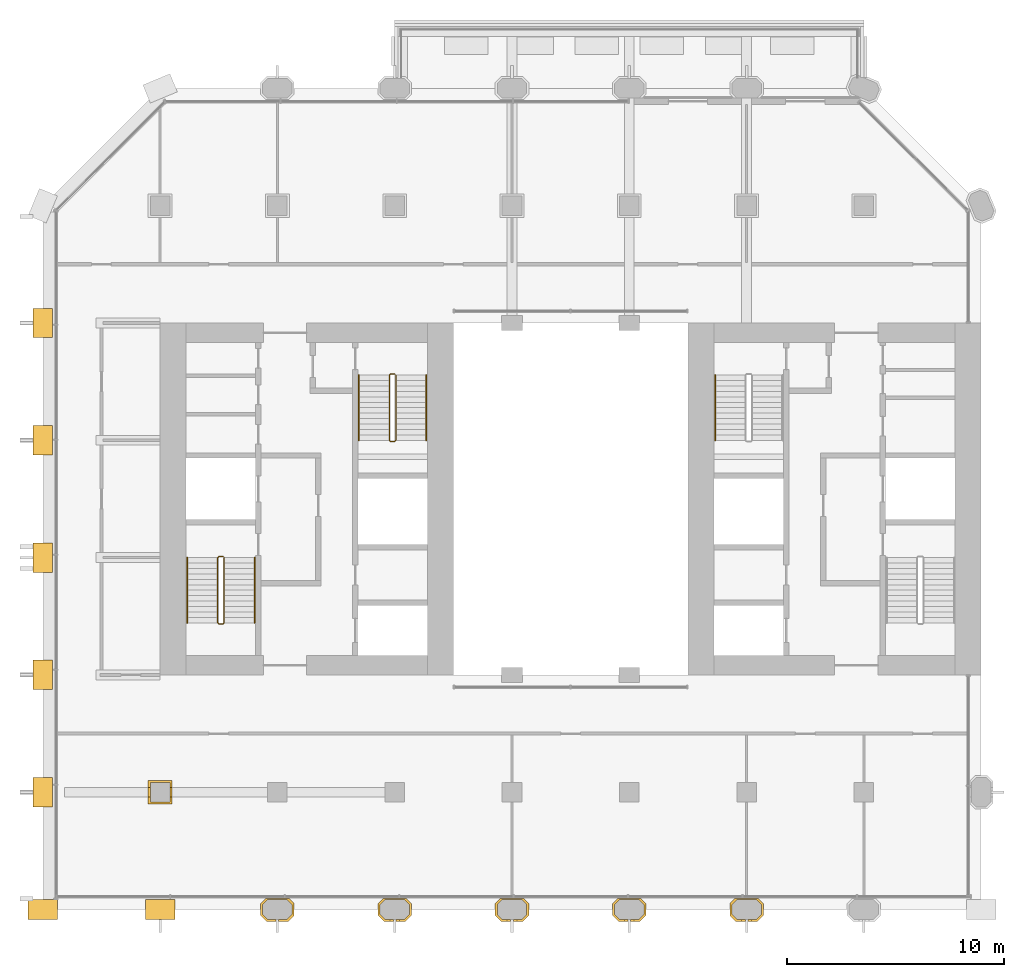
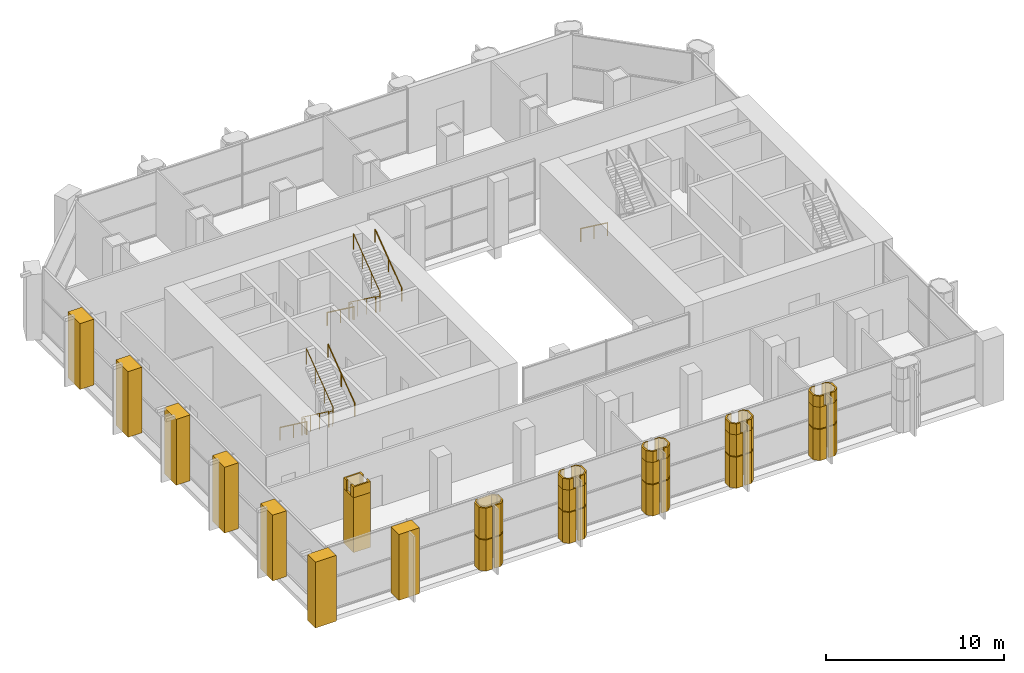
# One storey, part 13 of 15: 28 coverings, 7 railings.
"""IFC4 building model written with IfcOpenShell, lengths in metres."""

from ifc_helpers import new_model, si_unit, direction, frame, frame_2d, origin, origin_2d, place, context, subcontext, project, spatial, polyline, rectangle, circle, outline, extrude, material, layer, layer_set, type_object, element, save


model = new_model("IFC4")

# Units and contexts
model_context = context("Model", 3, precision=1e-05, world=origin(), true_north=direction((0.0, 1.0)))
body_context = subcontext(model_context, "Body", "Model", "MODEL_VIEW")
ifc_project = project(units=[si_unit("LENGTHUNIT", "METRE"), si_unit("AREAUNIT", "SQUARE_METRE"), si_unit("VOLUMEUNIT", "CUBIC_METRE"), si_unit("PLANEANGLEUNIT", "RADIAN"), si_unit("MASSUNIT", "GRAM", prefix="KILO")], contexts=[model_context])

# Site, building, storey
site_placement = place(None, origin())
site = spatial("IfcSite", under=ifc_project, at=site_placement, CompositionType="ELEMENT")
building_placement = place(site_placement, origin())
building = spatial("IfcBuilding", under=site, at=building_placement, Name="Tabaq Tower and Sports Hall", CompositionType="ELEMENT")
storey_placement = place(building_placement, frame((0.0, 0.0, 148.0)))
storey = spatial("IfcBuildingStorey", under=building, at=storey_placement, Name="L34", CompositionType="ELEMENT", Elevation=148.0)

# Coverings
ifc_material_1 = material(Name="Precast concrete C60/75", Category="concrete")
ifc_layer = layer(ifc_material_1, 0.10009765625)
ifc_layer_set = layer_set([ifc_layer], Name="Column cladding 100")
covering_type_1 = type_object("IfcCoveringType", Name="Column cladding 100", PredefinedType="CLADDING", material=ifc_layer_set)
covering_1_placement = place(storey_placement, origin())
element("IfcCovering", 1, at=covering_1_placement, inside=storey, type_object=covering_type_1, Name="Column cladding L34 CC-2C-S1", PredefinedType="CLADDING", context=body_context, shape_type="SweptSolid", body=[
    extrude(outline(polyline([(4.850341796875, 11.349609375), (5.94970703125, 11.349609375), (5.94970703125, 10.250244140625), (4.850341796875, 10.250244140625), (4.850341796875, 11.349609375)]), holes=[polyline([(5.850341796875, 10.349609375), (5.850341796875, 11.250244140625), (4.94970703125, 11.250244140625), (4.94970703125, 10.349609375), (5.850341796875, 10.349609375)])]), origin(), (0.0, 0.0, 1.0), 3.75),
])
covering_2_placement = place(storey_placement, frame((0.0, 0.0, 3.75)))
element("IfcCovering", 2, at=covering_2_placement, inside=storey, type_object=covering_type_1, Name="Column cladding L34 CC-2C-S1 head", PredefinedType="CLADDING", context=body_context, shape_type="SweptSolid", body=[
    extrude(outline(polyline([(5.94970703125, 10.250244140625), (4.850341796875, 10.250244140625), (4.850341796875, 10.57470703125), (4.94970703125, 10.57470703125), (4.94970703125, 10.349609375), (5.850341796875, 10.349609375), (5.850341796875, 10.57470703125), (5.94970703125, 10.57470703125), (5.94970703125, 10.250244140625)])), origin(), (0.0, 0.0, 1.0), 0.75),
])
covering_3_placement = place(storey_placement, frame((0.0, 0.0, 3.75)))
element("IfcCovering", 3, at=covering_3_placement, inside=storey, type_object=covering_type_1, Name="Column cladding L34 CC-2C-S1 head 2", PredefinedType="CLADDING", context=body_context, shape_type="SweptSolid", body=[
    extrude(outline(polyline([(5.94970703125, 11.349609375), (5.94970703125, 11.025390625), (5.850341796875, 11.025390625), (5.850341796875, 11.250244140625), (4.94970703125, 11.250244140625), (4.94970703125, 11.025390625), (4.850341796875, 11.025390625), (4.850341796875, 11.349609375), (5.94970703125, 11.349609375)])), origin(), (0.0, 0.0, 1.0), 0.75),
])
for number, where, name in (
    (4, (0.0, 0.0, 0.10009765625), "Column cladding L34 PC-3B-S1"),
    (5, (0.0, 0.0, 2.280029296875), "Column cladding L34 PC-3B-S1 2"),
):
    element("IfcCovering", number, at=place(storey_placement, frame(where)), inside=storey, type_object=covering_type_1, Name=name, PredefinedType="CLADDING", context=body_context, shape_type="SweptSolid", body=[
        extrude(outline(polyline([(10.025390625, 5.666259765625), (10.268798828125, 5.90966796875), (11.331298828125, 5.90966796875), (11.57470703125, 5.666259765625), (11.57470703125, 5.1337890625), (11.291259765625, 4.850341796875), (10.8603515625, 4.850341796875), (10.8603515625, 4.94970703125), (11.250244140625, 4.94970703125), (11.475341796875, 5.1748046875), (11.475341796875, 5.625244140625), (11.250244140625, 5.850341796875), (10.349853515625, 5.850341796875), (10.124755859375, 5.625244140625), (10.124755859375, 5.1748046875), (10.349853515625, 4.94970703125), (10.73974609375, 4.94970703125), (10.73974609375, 4.850341796875), (10.30859375, 4.850341796875), (10.025390625, 5.1337890625), (10.025390625, 5.666259765625)])), origin(), (0.0, 0.0, 1.0), 2.119873046875),
    ])
covering_4_placement = place(storey_placement, frame((0.0, 0.0, 0.10009765625)))
element("IfcCovering", 6, at=covering_4_placement, inside=storey, type_object=covering_type_1, Name="Column cladding L34 PC-4B-S1", PredefinedType="CLADDING", context=body_context, shape_type="SweptSolid", body=[
    extrude(outline(polyline([(15.42529296875, 5.666259765625), (15.668701171875, 5.90966796875), (16.731201171875, 5.90966796875), (16.974609375, 5.666259765625), (16.974609375, 5.1337890625), (16.69140625, 4.850341796875), (16.26025390625, 4.850341796875), (16.26025390625, 4.94970703125), (16.650146484375, 4.94970703125), (16.875244140625, 5.1748046875), (16.875244140625, 5.625244140625), (16.650146484375, 5.850341796875), (15.749755859375, 5.850341796875), (15.524658203125, 5.625244140625), (15.524658203125, 5.1748046875), (15.749755859375, 4.94970703125), (16.1396484375, 4.94970703125), (16.1396484375, 4.850341796875), (15.708740234375, 4.850341796875), (15.42529296875, 5.1337890625), (15.42529296875, 5.666259765625)])), origin(), (0.0, 0.0, 1.0), 2.119873046875),
])
covering_5_placement = place(storey_placement, frame((0.0, 0.0, 2.280029296875)))
element("IfcCovering", 7, at=covering_5_placement, inside=storey, type_object=covering_type_1, Name="Column cladding L34 PC-4B-S1 2", PredefinedType="CLADDING", context=body_context, shape_type="SweptSolid", body=[
    extrude(outline(polyline([(15.42529296875, 5.666259765625), (15.668701171875, 5.90966796875), (16.731201171875, 5.90966796875), (16.974609375, 5.666259765625), (16.974609375, 5.1337890625), (16.69140625, 4.850341796875), (16.26025390625, 4.850341796875), (16.26025390625, 4.94970703125), (16.650146484375, 4.94970703125), (16.875244140625, 5.1748046875), (16.875244140625, 5.625244140625), (16.650146484375, 5.850341796875), (15.749755859375, 5.850341796875), (15.524658203125, 5.625244140625), (15.524658203125, 5.1748046875), (15.749755859375, 4.94970703125), (16.1396484375, 4.94970703125), (16.1396484375, 4.850341796875), (15.708740234375, 4.850341796875), (15.42529296875, 5.1337890625), (15.42529296875, 5.666259765625)])), origin(), (0.0, 0.0, 1.0), 1.469970703125),
])
covering_6_placement = place(storey_placement, frame((0.0, 0.0, 3.75)))
element("IfcCovering", 8, at=covering_6_placement, inside=storey, type_object=covering_type_1, Name="Column cladding L34 PC-4B-S1 head", PredefinedType="CLADDING", context=body_context, shape_type="SweptSolid", body=[
    extrude(outline(polyline([(16.731201171875, 5.90966796875), (16.974609375, 5.666259765625), (16.974609375, 5.1337890625), (16.69140625, 4.850341796875), (16.42529296875, 4.850341796875), (16.42529296875, 4.94970703125), (16.650146484375, 4.94970703125), (16.875244140625, 5.1748046875), (16.875244140625, 5.625244140625), (16.650146484375, 5.850341796875), (16.42529296875, 5.850341796875), (16.42529296875, 5.90966796875), (16.731201171875, 5.90966796875)])), origin(), (0.0, 0.0, 1.0), 0.75),
])
covering_7_placement = place(storey_placement, frame((0.0, 0.0, 3.75)))
element("IfcCovering", 9, at=covering_7_placement, inside=storey, type_object=covering_type_1, Name="Column cladding L34 PC-4B-S1 head 2", PredefinedType="CLADDING", context=body_context, shape_type="SweptSolid", body=[
    extrude(outline(polyline([(15.668701171875, 5.90966796875), (15.974609375, 5.90966796875), (15.974609375, 5.850341796875), (15.749755859375, 5.850341796875), (15.524658203125, 5.625244140625), (15.524658203125, 5.1748046875), (15.749755859375, 4.94970703125), (15.974609375, 4.94970703125), (15.974609375, 4.850341796875), (15.708740234375, 4.850341796875), (15.42529296875, 5.1337890625), (15.42529296875, 5.666259765625), (15.668701171875, 5.90966796875)])), origin(), (0.0, 0.0, 1.0), 0.75),
])
covering_8_placement = place(storey_placement, frame((0.0, 0.0, 0.10009765625)))
element("IfcCovering", 10, at=covering_8_placement, inside=storey, type_object=covering_type_1, Name="Column cladding L34 PC-5B-S1", PredefinedType="CLADDING", context=body_context, shape_type="SweptSolid", body=[
    extrude(outline(polyline([(20.8251953125, 5.666259765625), (21.068603515625, 5.90966796875), (22.13134765625, 5.90966796875), (22.374755859375, 5.666259765625), (22.374755859375, 5.1337890625), (22.09130859375, 4.850341796875), (21.660400390625, 4.850341796875), (21.660400390625, 4.94970703125), (22.050048828125, 4.94970703125), (22.275390625, 5.1748046875), (22.275390625, 5.625244140625), (22.050048828125, 5.850341796875), (21.14990234375, 5.850341796875), (20.9248046875, 5.625244140625), (20.9248046875, 5.1748046875), (21.14990234375, 4.94970703125), (21.539794921875, 4.94970703125), (21.539794921875, 4.850341796875), (21.108642578125, 4.850341796875), (20.8251953125, 5.1337890625), (20.8251953125, 5.666259765625)])), origin(), (0.0, 0.0, 1.0), 2.119873046875),
])
covering_9_placement = place(storey_placement, frame((0.0, 0.0, 2.280029296875)))
element("IfcCovering", 11, at=covering_9_placement, inside=storey, type_object=covering_type_1, Name="Column cladding L34 PC-5B-S1 2", PredefinedType="CLADDING", context=body_context, shape_type="SweptSolid", body=[
    extrude(outline(polyline([(20.8251953125, 5.666259765625), (21.068603515625, 5.90966796875), (22.13134765625, 5.90966796875), (22.374755859375, 5.666259765625), (22.374755859375, 5.1337890625), (22.09130859375, 4.850341796875), (21.660400390625, 4.850341796875), (21.660400390625, 4.94970703125), (22.050048828125, 4.94970703125), (22.275390625, 5.1748046875), (22.275390625, 5.625244140625), (22.050048828125, 5.850341796875), (21.14990234375, 5.850341796875), (20.9248046875, 5.625244140625), (20.9248046875, 5.1748046875), (21.14990234375, 4.94970703125), (21.539794921875, 4.94970703125), (21.539794921875, 4.850341796875), (21.108642578125, 4.850341796875), (20.8251953125, 5.1337890625), (20.8251953125, 5.666259765625)])), origin(), (0.0, 0.0, 1.0), 1.469970703125),
])
covering_10_placement = place(storey_placement, frame((0.0, 0.0, 3.75)))
element("IfcCovering", 12, at=covering_10_placement, inside=storey, type_object=covering_type_1, Name="Column cladding L34 PC-5B-S1 head", PredefinedType="CLADDING", context=body_context, shape_type="SweptSolid", body=[
    extrude(outline(polyline([(21.068603515625, 5.90966796875), (21.374755859375, 5.90966796875), (21.374755859375, 5.850341796875), (21.14990234375, 5.850341796875), (20.9248046875, 5.625244140625), (20.9248046875, 5.1748046875), (21.14990234375, 4.94970703125), (21.374755859375, 4.94970703125), (21.374755859375, 4.850341796875), (21.108642578125, 4.850341796875), (20.8251953125, 5.1337890625), (20.8251953125, 5.666259765625), (21.068603515625, 5.90966796875)])), origin(), (0.0, 0.0, 1.0), 0.75),
])
covering_11_placement = place(storey_placement, frame((0.0, 0.0, 3.75)))
element("IfcCovering", 13, at=covering_11_placement, inside=storey, type_object=covering_type_1, Name="Column cladding L34 PC-5B-S1 head 2", PredefinedType="CLADDING", context=body_context, shape_type="SweptSolid", body=[
    extrude(outline(polyline([(22.13134765625, 5.90966796875), (22.374755859375, 5.666259765625), (22.374755859375, 5.1337890625), (22.09130859375, 4.850341796875), (21.8251953125, 4.850341796875), (21.8251953125, 4.94970703125), (22.050048828125, 4.94970703125), (22.275390625, 5.1748046875), (22.275390625, 5.625244140625), (22.050048828125, 5.850341796875), (21.8251953125, 5.850341796875), (21.8251953125, 5.90966796875), (22.13134765625, 5.90966796875)])), origin(), (0.0, 0.0, 1.0), 0.75),
])
covering_12_placement = place(storey_placement, frame((0.0, 0.0, 0.10009765625)))
element("IfcCovering", 14, at=covering_12_placement, inside=storey, type_object=covering_type_1, Name="Column cladding L34 PC-6B-S1", PredefinedType="CLADDING", context=body_context, shape_type="SweptSolid", body=[
    extrude(outline(polyline([(26.225341796875, 5.666259765625), (26.46875, 5.90966796875), (27.53125, 5.90966796875), (27.774658203125, 5.666259765625), (27.774658203125, 5.1337890625), (27.4912109375, 4.850341796875), (27.060302734375, 4.850341796875), (27.060302734375, 4.94970703125), (27.4501953125, 4.94970703125), (27.67529296875, 5.1748046875), (27.67529296875, 5.625244140625), (27.4501953125, 5.850341796875), (26.5498046875, 5.850341796875), (26.32470703125, 5.625244140625), (26.32470703125, 5.1748046875), (26.5498046875, 4.94970703125), (26.939697265625, 4.94970703125), (26.939697265625, 4.850341796875), (26.5087890625, 4.850341796875), (26.225341796875, 5.1337890625), (26.225341796875, 5.666259765625)])), origin(), (0.0, 0.0, 1.0), 2.119873046875),
])
covering_13_placement = place(storey_placement, frame((0.0, 0.0, 2.280029296875)))
element("IfcCovering", 15, at=covering_13_placement, inside=storey, type_object=covering_type_1, Name="Column cladding L34 PC-6B-S1 2", PredefinedType="CLADDING", context=body_context, shape_type="SweptSolid", body=[
    extrude(outline(polyline([(26.225341796875, 5.666259765625), (26.46875, 5.90966796875), (27.53125, 5.90966796875), (27.774658203125, 5.666259765625), (27.774658203125, 5.1337890625), (27.4912109375, 4.850341796875), (27.060302734375, 4.850341796875), (27.060302734375, 4.94970703125), (27.4501953125, 4.94970703125), (27.67529296875, 5.1748046875), (27.67529296875, 5.625244140625), (27.4501953125, 5.850341796875), (26.5498046875, 5.850341796875), (26.32470703125, 5.625244140625), (26.32470703125, 5.1748046875), (26.5498046875, 4.94970703125), (26.939697265625, 4.94970703125), (26.939697265625, 4.850341796875), (26.5087890625, 4.850341796875), (26.225341796875, 5.1337890625), (26.225341796875, 5.666259765625)])), origin(), (0.0, 0.0, 1.0), 1.469970703125),
])
covering_14_placement = place(storey_placement, frame((0.0, 0.0, 3.75)))
element("IfcCovering", 16, at=covering_14_placement, inside=storey, type_object=covering_type_1, Name="Column cladding L34 PC-6B-S1 head", PredefinedType="CLADDING", context=body_context, shape_type="SweptSolid", body=[
    extrude(outline(polyline([(26.46875, 5.90966796875), (26.774658203125, 5.90966796875), (26.774658203125, 5.850341796875), (26.5498046875, 5.850341796875), (26.32470703125, 5.625244140625), (26.32470703125, 5.1748046875), (26.5498046875, 4.94970703125), (26.774658203125, 4.94970703125), (26.774658203125, 4.850341796875), (26.5087890625, 4.850341796875), (26.225341796875, 5.1337890625), (26.225341796875, 5.666259765625), (26.46875, 5.90966796875)])), origin(), (0.0, 0.0, 1.0), 0.75),
])
covering_15_placement = place(storey_placement, frame((0.0, 0.0, 3.75)))
element("IfcCovering", 17, at=covering_15_placement, inside=storey, type_object=covering_type_1, Name="Column cladding L34 PC-6B-S1 head 2", PredefinedType="CLADDING", context=body_context, shape_type="SweptSolid", body=[
    extrude(outline(polyline([(27.53125, 5.90966796875), (27.774658203125, 5.666259765625), (27.774658203125, 5.1337890625), (27.4912109375, 4.850341796875), (27.225341796875, 4.850341796875), (27.225341796875, 4.94970703125), (27.4501953125, 4.94970703125), (27.67529296875, 5.1748046875), (27.67529296875, 5.625244140625), (27.4501953125, 5.850341796875), (27.225341796875, 5.850341796875), (27.225341796875, 5.90966796875), (27.53125, 5.90966796875)])), origin(), (0.0, 0.0, 1.0), 0.75),
])
covering_16_placement = place(storey_placement, frame((0.0, 0.0, 0.10009765625)))
element("IfcCovering", 18, at=covering_16_placement, inside=storey, type_object=covering_type_1, Name="Column cladding L34 PC-7B-S1", PredefinedType="CLADDING", context=body_context, shape_type="SweptSolid", body=[
    extrude(outline(polyline([(31.625244140625, 5.666259765625), (31.86865234375, 5.90966796875), (32.931396484375, 5.90966796875), (33.1748046875, 5.666259765625), (33.1748046875, 5.1337890625), (32.891357421875, 4.850341796875), (32.460205078125, 4.850341796875), (32.460205078125, 4.94970703125), (32.85009765625, 4.94970703125), (33.0751953125, 5.1748046875), (33.0751953125, 5.625244140625), (32.85009765625, 5.850341796875), (31.949951171875, 5.850341796875), (31.724609375, 5.625244140625), (31.724609375, 5.1748046875), (31.949951171875, 4.94970703125), (32.339599609375, 4.94970703125), (32.339599609375, 4.850341796875), (31.90869140625, 4.850341796875), (31.625244140625, 5.1337890625), (31.625244140625, 5.666259765625)])), origin(), (0.0, 0.0, 1.0), 2.119873046875),
])
covering_17_placement = place(storey_placement, frame((0.0, 0.0, 2.280029296875)))
element("IfcCovering", 19, at=covering_17_placement, inside=storey, type_object=covering_type_1, Name="Column cladding L34 PC-7B-S1 2", PredefinedType="CLADDING", context=body_context, shape_type="SweptSolid", body=[
    extrude(outline(polyline([(31.625244140625, 5.666259765625), (31.86865234375, 5.90966796875), (32.931396484375, 5.90966796875), (33.1748046875, 5.666259765625), (33.1748046875, 5.1337890625), (32.891357421875, 4.850341796875), (32.460205078125, 4.850341796875), (32.460205078125, 4.94970703125), (32.85009765625, 4.94970703125), (33.0751953125, 5.1748046875), (33.0751953125, 5.625244140625), (32.85009765625, 5.850341796875), (31.949951171875, 5.850341796875), (31.724609375, 5.625244140625), (31.724609375, 5.1748046875), (31.949951171875, 4.94970703125), (32.339599609375, 4.94970703125), (32.339599609375, 4.850341796875), (31.90869140625, 4.850341796875), (31.625244140625, 5.1337890625), (31.625244140625, 5.666259765625)])), origin(), (0.0, 0.0, 1.0), 1.469970703125),
])
covering_18_placement = place(storey_placement, frame((0.0, 0.0, 3.75)))
element("IfcCovering", 20, at=covering_18_placement, inside=storey, type_object=covering_type_1, Name="Column cladding L34 PC-7B-S1 head", PredefinedType="CLADDING", context=body_context, shape_type="SweptSolid", body=[
    extrude(outline(polyline([(32.931396484375, 5.90966796875), (33.1748046875, 5.666259765625), (33.1748046875, 5.1337890625), (32.891357421875, 4.850341796875), (32.625244140625, 4.850341796875), (32.625244140625, 4.94970703125), (32.85009765625, 4.94970703125), (33.0751953125, 5.1748046875), (33.0751953125, 5.625244140625), (32.85009765625, 5.850341796875), (32.625244140625, 5.850341796875), (32.625244140625, 5.90966796875), (32.931396484375, 5.90966796875)])), origin(), (0.0, 0.0, 1.0), 0.75),
])
covering_19_placement = place(storey_placement, frame((0.0, 0.0, 3.75)))
element("IfcCovering", 21, at=covering_19_placement, inside=storey, type_object=covering_type_1, Name="Column cladding L34 PC-7B-S1 head 2", PredefinedType="CLADDING", context=body_context, shape_type="SweptSolid", body=[
    extrude(outline(polyline([(31.86865234375, 5.90966796875), (32.1748046875, 5.90966796875), (32.1748046875, 5.850341796875), (31.949951171875, 5.850341796875), (31.724609375, 5.625244140625), (31.724609375, 5.1748046875), (31.949951171875, 4.94970703125), (32.1748046875, 4.94970703125), (32.1748046875, 4.850341796875), (31.90869140625, 4.850341796875), (31.625244140625, 5.1337890625), (31.625244140625, 5.666259765625), (31.86865234375, 5.90966796875)])), origin(), (0.0, 0.0, 1.0), 0.75),
])
ifc_material_2 = material(Name="White precast concrete C60/75", Category="concrete")
covering_type_2 = type_object("IfcCoveringType", Name="Pier cladding hung 1350x900", PredefinedType="CLADDING", material=ifc_material_2)
for number, where, z_axis, x_axis, name in (
    (22, (-0.675048828125, 5.39990234375, 0.0), (0.0, 0.0, 1.0), (1.0, 0.0, 0.0), "Hung pier cladding 0/1"),
    (23, (0.0, 11.47509765625, 0.0), (0.0, 0.0, 1.0), (0.0, -1.0, 0.0), "Hung pier cladding 0/2"),
    (24, (0.0, 16.875, 0.0), (0.0, 0.0, 1.0), (0.0, -1.0, 0.0), "Hung pier cladding 0/3"),
):
    element("IfcCovering", number, at=place(storey_placement, frame(where, z_axis=z_axis, x_axis=x_axis)), inside=storey, type_object=covering_type_2, Name=name, PredefinedType="CLADDING", context=body_context, shape_type="SweptSolid", body=[
        extrude(rectangle(XDim=1.35009765625, YDim=0.89990234375, at=frame_2d((0.675048828125, 0.0))), origin(), (0.0, 0.0, 1.0), 4.5),
    ])
covering_20_placement = place(storey_placement, frame((0.0, 22.27490234375, 0.0), z_axis=(0.0, 0.0, 1.0), x_axis=(0.0, -1.0, 0.0)))
element("IfcCovering", 25, at=covering_20_placement, inside=storey, type_object=covering_type_2, Name="Hung pier cladding 0/4", PredefinedType="CLADDING", context=body_context, shape_type="SweptSolid", body=[
    extrude(rectangle(XDim=1.349853515625, YDim=0.89990234375, at=frame_2d((0.6748046875, 0.0))), origin(), (0.0, 0.0, 1.0), 4.5),
])
covering_21_placement = place(storey_placement, frame((0.0, 27.675048828125, 0.0), z_axis=(0.0, 0.0, 1.0), x_axis=(0.0, -1.0, 0.0)))
element("IfcCovering", 26, at=covering_21_placement, inside=storey, type_object=covering_type_2, Name="Hung pier cladding 0/5", PredefinedType="CLADDING", context=body_context, shape_type="SweptSolid", body=[
    extrude(rectangle(XDim=1.35009765625, YDim=0.89990234375, at=frame_2d((0.675048828125, 0.0))), origin(), (0.0, 0.0, 1.0), 4.5),
])
for number, where, z_axis, x_axis, name in (
    (27, (0.0, 33.074951171875, 0.0), (0.0, 0.0, 1.0), (0.0, -1.0, 0.0), "Hung pier cladding 0/6"),
    (28, (4.72509765625, 5.39990234375, 0.0), (0.0, 0.0, 1.0), (1.0, 0.0, 0.0), "Hung pier cladding 1/1"),
):
    element("IfcCovering", number, at=place(storey_placement, frame(where, z_axis=z_axis, x_axis=x_axis)), inside=storey, type_object=covering_type_2, Name=name, PredefinedType="CLADDING", context=body_context, shape_type="SweptSolid", body=[
        extrude(rectangle(XDim=1.349853515625, YDim=0.89990234375, at=frame_2d((0.6748046875, 0.0))), origin(), (0.0, 0.0, 1.0), 4.5),
    ])

# Railings
ifc_material_3 = material(Name="Stainless steel", Category="steel")
railing_type_1 = type_object("IfcRailingType", Name="Stair guard", PredefinedType="GUARDRAIL", material=ifc_material_3)
railing_1_placement = place(storey_placement, frame((8.300048828125, 21.64990234375, 0.0)))
element("IfcRailing", 29, at=railing_1_placement, inside=storey, type_object=railing_type_1, Name="L34 ST1 stair guard 1", PredefinedType="GUARDRAIL", context=body_context, shape_type="SweptSolid", body=[
    extrude(circle(Radius=0.02392578125, at=origin_2d()), frame((0.0, 0.0, 1.076171875), z_axis=(-1.0, 0.0, 0.0), x_axis=(0.0, -1.0, 0.0)), (0.0, 0.0, 1.0), 0.199951171875),
    extrude(circle(Radius=0.02392578125, at=origin_2d()), frame((-0.199951171875, 0.0, 1.076171875), z_axis=(-0.253264628505, -0.252029191293, 0.933990532438), x_axis=(0.705375805398, -0.708833529934, 0.0)), (0.0, 0.0, 1.0), 0.197509765625),
    extrude(circle(Radius=0.02392578125, at=origin_2d()), frame((-0.25, -0.0498046875, 1.2607421875), z_axis=(0.0, -0.804440004972, 0.594033903411), x_axis=(1.0, 0.0, 0.0)), (0.0, 0.0, 1.0), 3.729248046875),
    extrude(circle(Radius=0.02392578125, at=origin_2d()), frame((-0.25, -3.0498046875, 3.47607421875), z_axis=(0.707106781187, -0.707106781187, 0.0), x_axis=(0.707106781187, 0.707106781187, 0.0)), (0.0, 0.0, 1.0), 0.07080078125),
    extrude(circle(Radius=0.02392578125, at=origin_2d()), frame((-0.199951171875, -3.099853515625, 3.47607421875), z_axis=(1.0, 0.0, 0.0), x_axis=(0.0, 1.0, 0.0)), (0.0, 0.0, 1.0), 0.199951171875),
    extrude(circle(Radius=0.02392578125, at=origin_2d()), frame((0.0, -3.099853515625, 3.47607421875), z_axis=(0.252893960547, 0.252893960547, 0.933857210411), x_axis=(-0.707106781187, 0.707106781187, 0.0)), (0.0, 0.0, 1.0), 0.197998046875),
    extrude(circle(Radius=0.02392578125, at=origin_2d()), frame((0.050048828125, -3.0498046875, 3.66064453125), z_axis=(0.0, 0.804440004972, 0.594033903411), x_axis=(-1.0, 0.0, 0.0)), (0.0, 0.0, 1.0), 3.729248046875),
    extrude(circle(Radius=0.02099609375, at=origin_2d()), origin(), (0.0, 0.0, 1.0), 1.052001953125),
    extrude(circle(Radius=0.02099609375, at=origin_2d()), frame((-0.199951171875, 0.0, 0.0)), (0.0, 0.0, 1.0), 1.052001953125),
    extrude(circle(Radius=0.02099609375, at=origin_2d()), frame((-0.25, -0.0498046875, 0.1845703125)), (0.0, 0.0, 1.0), 1.052001953125),
    extrude(circle(Radius=0.02099609375, at=origin_2d()), frame((-0.25, -1.0498046875, 0.923095703125)), (0.0, 0.0, 1.0), 1.052001953125),
    extrude(circle(Radius=0.02099609375, at=origin_2d()), frame((-0.25, -2.0498046875, 1.661376953125)), (0.0, 0.0, 1.0), 1.052001953125),
    extrude(circle(Radius=0.02099609375, at=origin_2d()), frame((-0.25, -3.0498046875, 2.39990234375)), (0.0, 0.0, 1.0), 1.052001953125),
    extrude(circle(Radius=0.02099609375, at=origin_2d()), frame((-0.199951171875, -3.099853515625, 2.39990234375)), (0.0, 0.0, 1.0), 1.052001953125),
    extrude(circle(Radius=0.02099609375, at=origin_2d()), frame((0.0, -3.099853515625, 2.39990234375)), (0.0, 0.0, 1.0), 1.052001953125),
    extrude(circle(Radius=0.02099609375, at=origin_2d()), frame((0.050048828125, -3.0498046875, 2.584716796875)), (0.0, 0.0, 1.0), 1.052001953125),
    extrude(circle(Radius=0.02099609375, at=origin_2d()), frame((0.050048828125, -2.0498046875, 3.3232421875)), (0.0, 0.0, 1.0), 1.052001953125),
    extrude(circle(Radius=0.02099609375, at=origin_2d()), frame((0.050048828125, -1.0498046875, 4.0615234375)), (0.0, 0.0, 1.0), 1.052001953125),
    extrude(circle(Radius=0.02099609375, at=origin_2d()), frame((0.050048828125, -0.0498046875, 4.800048828125)), (0.0, 0.0, 1.0), 1.052001953125),
])
railing_2_placement = place(storey_placement, frame((16.199951171875, 30.050048828125, 0.0)))
element("IfcRailing", 30, at=railing_2_placement, inside=storey, type_object=railing_type_1, Name="L34 ST2 stair guard 1", PredefinedType="GUARDRAIL", context=body_context, shape_type="SweptSolid", body=[
    extrude(circle(Radius=0.02392578125, at=origin_2d()), frame((0.0, 0.0, 1.076171875), z_axis=(-1.0, 0.0, 0.0), x_axis=(0.0, -1.0, 0.0)), (0.0, 0.0, 1.0), 0.199951171875),
    extrude(circle(Radius=0.02392578125, at=origin_2d()), frame((-0.199951171875, 0.0, 1.076171875), z_axis=(-0.253185614162, -0.253185614162, 0.933699142959), x_axis=(0.707106781187, -0.707106781187, 0.0)), (0.0, 0.0, 1.0), 0.19775390625),
    extrude(circle(Radius=0.02392578125, at=origin_2d()), frame((-0.25, -0.050048828125, 1.2607421875), z_axis=(0.0, -0.804440004972, 0.594033903411), x_axis=(1.0, 0.0, 0.0)), (0.0, 0.0, 1.0), 3.729248046875),
    extrude(circle(Radius=0.02392578125, at=origin_2d()), frame((-0.25, -3.050048828125, 3.47607421875), z_axis=(0.707106781187, -0.707106781187, 0.0), x_axis=(0.707106781187, 0.707106781187, 0.0)), (0.0, 0.0, 1.0), 0.07080078125),
    extrude(circle(Radius=0.02392578125, at=origin_2d()), frame((-0.199951171875, -3.10009765625, 3.47607421875), z_axis=(1.0, 0.0, 0.0), x_axis=(0.0, 1.0, 0.0)), (0.0, 0.0, 1.0), 0.199951171875),
    extrude(circle(Radius=0.02392578125, at=origin_2d()), frame((0.0, -3.10009765625, 3.47607421875), z_axis=(0.252893960547, 0.252893960547, 0.933857210411), x_axis=(-0.707106781187, 0.707106781187, 0.0)), (0.0, 0.0, 1.0), 0.197998046875),
    extrude(circle(Radius=0.02392578125, at=origin_2d()), frame((0.050048828125, -3.050048828125, 3.66064453125), z_axis=(0.0, 0.804440004972, 0.594033903411), x_axis=(-1.0, 0.0, 0.0)), (0.0, 0.0, 1.0), 3.729248046875),
    extrude(circle(Radius=0.02099609375, at=origin_2d()), origin(), (0.0, 0.0, 1.0), 1.052001953125),
    extrude(circle(Radius=0.02099609375, at=origin_2d()), frame((-0.199951171875, 0.0, 0.0)), (0.0, 0.0, 1.0), 1.052001953125),
    extrude(circle(Radius=0.02099609375, at=origin_2d()), frame((-0.25, -0.050048828125, 0.1845703125)), (0.0, 0.0, 1.0), 1.052001953125),
    extrude(circle(Radius=0.02099609375, at=origin_2d()), frame((-0.25, -1.050048828125, 0.923095703125)), (0.0, 0.0, 1.0), 1.052001953125),
    extrude(circle(Radius=0.02099609375, at=origin_2d()), frame((-0.25, -2.050048828125, 1.661376953125)), (0.0, 0.0, 1.0), 1.052001953125),
    extrude(circle(Radius=0.02099609375, at=origin_2d()), frame((-0.25, -3.050048828125, 2.39990234375)), (0.0, 0.0, 1.0), 1.052001953125),
    extrude(circle(Radius=0.02099609375, at=origin_2d()), frame((-0.199951171875, -3.10009765625, 2.39990234375)), (0.0, 0.0, 1.0), 1.052001953125),
    extrude(circle(Radius=0.02099609375, at=origin_2d()), frame((0.0, -3.10009765625, 2.39990234375)), (0.0, 0.0, 1.0), 1.052001953125),
    extrude(circle(Radius=0.02099609375, at=origin_2d()), frame((0.050048828125, -3.050048828125, 2.584716796875)), (0.0, 0.0, 1.0), 1.052001953125),
    extrude(circle(Radius=0.02099609375, at=origin_2d()), frame((0.050048828125, -2.050048828125, 3.3232421875)), (0.0, 0.0, 1.0), 1.052001953125),
    extrude(circle(Radius=0.02099609375, at=origin_2d()), frame((0.050048828125, -1.050048828125, 4.0615234375)), (0.0, 0.0, 1.0), 1.052001953125),
    extrude(circle(Radius=0.02099609375, at=origin_2d()), frame((0.050048828125, -0.050048828125, 4.800048828125)), (0.0, 0.0, 1.0), 1.052001953125),
])
ifc_material_4 = material(Name="Stainless steel", Category="steel")
railing_type_2 = type_object("IfcRailingType", Name="Stair handrail", PredefinedType="HANDRAIL", material=ifc_material_4)
railing_3_placement = place(storey_placement, frame((6.64990234375, 21.60009765625, 0.1845703125)))
element("IfcRailing", 31, at=railing_3_placement, inside=storey, type_object=railing_type_2, Name="L34 ST1 stair handrail 1", PredefinedType="HANDRAIL", context=body_context, shape_type="SweptSolid", body=[
    extrude(circle(Radius=0.02392578125, at=origin_2d()), frame((0.0, 0.0, 0.8759765625), z_axis=(0.0, -0.804440004972, 0.594033903411), x_axis=(1.0, 0.0, 0.0)), (0.0, 0.0, 1.0), 3.729248046875),
    extrude(circle(Radius=0.02099609375, at=origin_2d()), origin(), (0.0, 0.0, 1.0), 0.851806640625),
    extrude(circle(Radius=0.02099609375, at=origin_2d()), frame((0.0, -1.5, 1.107666015625)), (0.0, 0.0, 1.0), 0.851806640625),
    extrude(circle(Radius=0.02099609375, at=origin_2d()), frame((0.0, -3.0, 2.21533203125)), (0.0, 0.0, 1.0), 0.851806640625),
])
railing_4_placement = place(storey_placement, frame((9.75, 18.60009765625, 2.584716796875)))
element("IfcRailing", 32, at=railing_4_placement, inside=storey, type_object=railing_type_2, Name="L34 ST1 stair handrail 2", PredefinedType="HANDRAIL", context=body_context, shape_type="SweptSolid", body=[
    extrude(circle(Radius=0.02392578125, at=origin_2d()), frame((0.0, 0.0, 0.8759765625), z_axis=(0.0, 0.804440004972, 0.594033903411), x_axis=(-1.0, 0.0, 0.0)), (0.0, 0.0, 1.0), 3.729248046875),
    extrude(circle(Radius=0.02099609375, at=origin_2d()), origin(), (0.0, 0.0, 1.0), 0.851806640625),
    extrude(circle(Radius=0.02099609375, at=origin_2d()), frame((0.0, 1.5, 1.107666015625)), (0.0, 0.0, 1.0), 0.851806640625),
    extrude(circle(Radius=0.02099609375, at=origin_2d()), frame((0.0, 3.0, 2.21533203125)), (0.0, 0.0, 1.0), 0.851806640625),
])
railing_5_placement = place(storey_placement, frame((14.550048828125, 30.0, 0.1845703125)))
element("IfcRailing", 33, at=railing_5_placement, inside=storey, type_object=railing_type_2, Name="L34 ST2 stair handrail 1", PredefinedType="HANDRAIL", context=body_context, shape_type="SweptSolid", body=[
    extrude(circle(Radius=0.02392578125, at=origin_2d()), frame((0.0, 0.0, 0.8759765625), z_axis=(0.0, -0.804440004972, 0.594033903411), x_axis=(1.0, 0.0, 0.0)), (0.0, 0.0, 1.0), 3.729248046875),
    extrude(circle(Radius=0.02099609375, at=origin_2d()), origin(), (0.0, 0.0, 1.0), 0.851806640625),
    extrude(circle(Radius=0.02099609375, at=origin_2d()), frame((0.0, -1.5, 1.107666015625)), (0.0, 0.0, 1.0), 0.851806640625),
    extrude(circle(Radius=0.02099609375, at=origin_2d()), frame((0.0, -3.0, 2.21533203125)), (0.0, 0.0, 1.0), 0.851806640625),
])
railing_6_placement = place(storey_placement, frame((17.64990234375, 27.0, 2.584716796875)))
element("IfcRailing", 34, at=railing_6_placement, inside=storey, type_object=railing_type_2, Name="L34 ST2 stair handrail 2", PredefinedType="HANDRAIL", context=body_context, shape_type="SweptSolid", body=[
    extrude(circle(Radius=0.02392578125, at=origin_2d()), frame((0.0, 0.0, 0.8759765625), z_axis=(0.0, 0.804440004972, 0.594033903411), x_axis=(-1.0, 0.0, 0.0)), (0.0, 0.0, 1.0), 3.729248046875),
    extrude(circle(Radius=0.02099609375, at=origin_2d()), origin(), (0.0, 0.0, 1.0), 0.851806640625),
    extrude(circle(Radius=0.02099609375, at=origin_2d()), frame((0.0, 1.5, 1.107666015625)), (0.0, 0.0, 1.0), 0.851806640625),
    extrude(circle(Radius=0.02099609375, at=origin_2d()), frame((0.0, 3.0, 2.21533203125)), (0.0, 0.0, 1.0), 0.851806640625),
])
railing_7_placement = place(storey_placement, frame((30.949951171875, 30.0, 0.1845703125)))
element("IfcRailing", 35, at=railing_7_placement, inside=storey, type_object=railing_type_2, Name="L34 ST4 stair handrail 1", PredefinedType="HANDRAIL", context=body_context, shape_type="SweptSolid", body=[
    extrude(circle(Radius=0.02392578125, at=origin_2d()), frame((0.0, 0.0, 0.8759765625), z_axis=(0.0, -0.804440004972, 0.594033903411), x_axis=(1.0, 0.0, 0.0)), (0.0, 0.0, 1.0), 3.729248046875),
    extrude(circle(Radius=0.02099609375, at=origin_2d()), origin(), (0.0, 0.0, 1.0), 0.851806640625),
    extrude(circle(Radius=0.02099609375, at=origin_2d()), frame((0.0, -1.5, 1.107666015625)), (0.0, 0.0, 1.0), 0.851806640625),
    extrude(circle(Radius=0.02099609375, at=origin_2d()), frame((0.0, -3.0, 2.21533203125)), (0.0, 0.0, 1.0), 0.851806640625),
])

save(model, "model.ifc")
